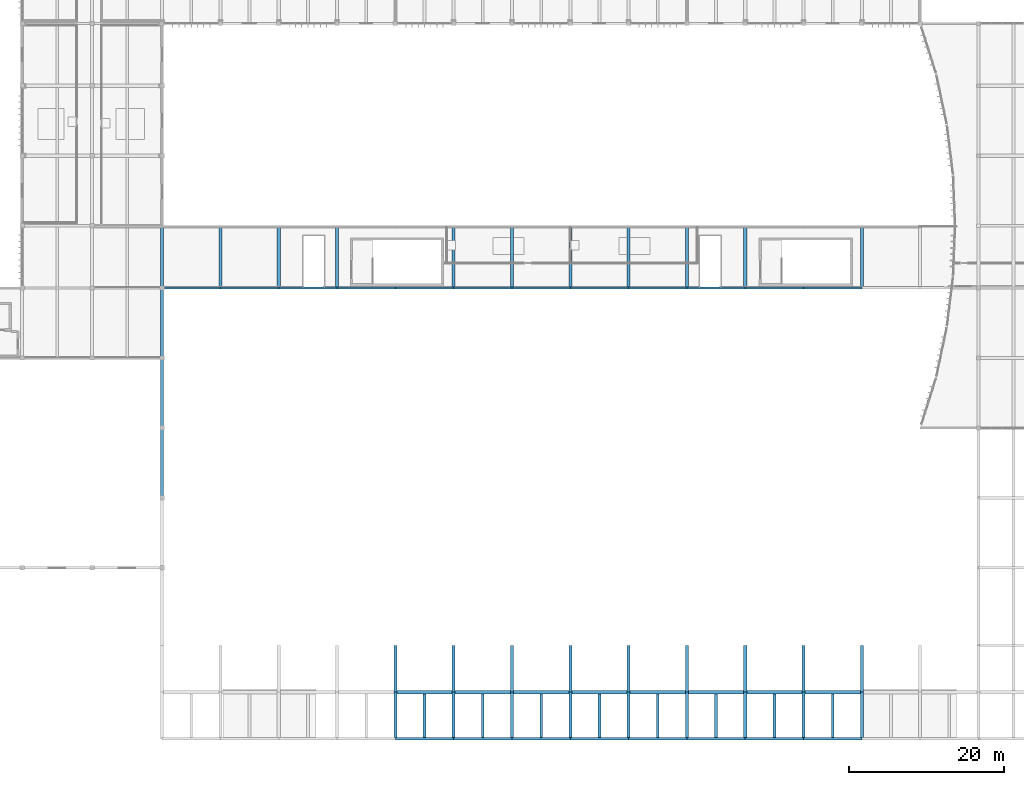
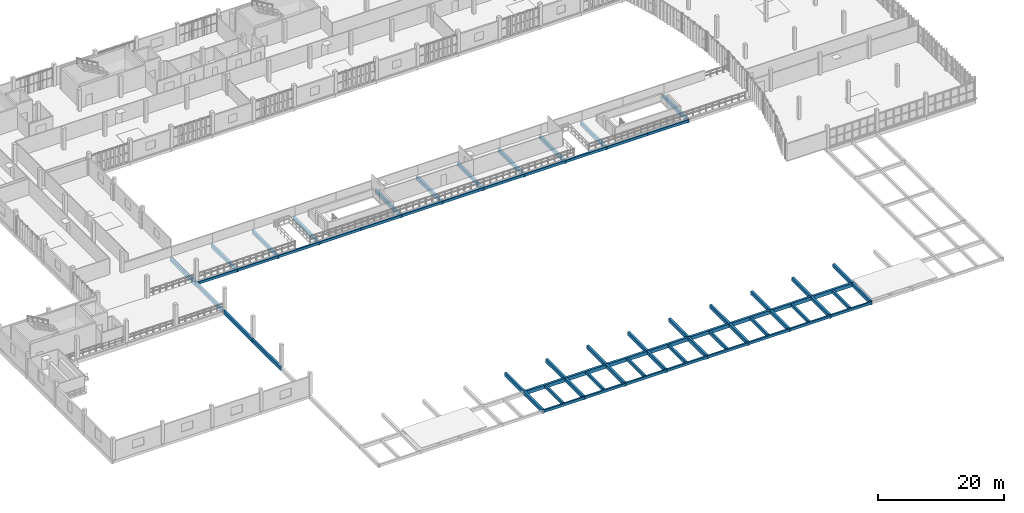
# One storey, part 7 of 61: 68 beams.
"""IFC4 building model written with IfcOpenShell, lengths in metres."""

import ifcopenshell
import ifcopenshell.guid

model = None  # the IFC model being written
_history = None  # IfcOwnerHistory: only IFC2X3 demands one
_inside = {}  # id of a spatial element -> (the spatial element, [elements in it])
_under = {}  # id of a project, library or spatial element -> (it, [spatial elements below it])
_declared = {}  # id of a project -> (the project, [libraries it declares])
_typed = {}  # id of a type object -> (the type object, [elements of that type])
_made_of = {}  # id of a material, layer set ... -> (it, [elements and type objects made of it])


def new_model(schema):
    """Start an empty IFC model of exactly this schema.

    Asked for "IFC4X3", IfcOpenShell would pick the latest addendum, in which some entities
    have other attributes; the version numbers below select the first issue.
    IFC2X3 requires an IfcOwnerHistory on every rooted entity: one is made here for all.
    """
    global model, _history
    if schema == "IFC4X3":
        model = ifcopenshell.file(schema_version=(4, 3, 0, 0))
    else:
        model = ifcopenshell.file(schema=schema)
    _inside.clear()
    _under.clear()
    _declared.clear()
    _typed.clear()
    _made_of.clear()
    _history = None
    if model.schema == "IFC2X3":
        org = make("IfcOrganization", Name="unknown")
        user = make(
            "IfcPersonAndOrganization",
            ThePerson=make("IfcPerson", FamilyName="unknown"),
            TheOrganization=org,
        )
        app = make(
            "IfcApplication",
            ApplicationDeveloper=org,
            Version="unknown",
            ApplicationFullName="unknown",
            ApplicationIdentifier="unknown",
        )
        _history = make(
            "IfcOwnerHistory",
            OwningUser=user,
            OwningApplication=app,
            ChangeAction="ADDED",
            CreationDate=0,
        )
    return model


def make(cls, **values):
    """One entity of the class cls with the attributes given. An attribute that is None is left unset."""
    return model.create_entity(
        cls, **{name: value for name, value in values.items() if value is not None}
    )


def rooted(cls, **values):
    """An entity with a GlobalId (a new one), such as an element, a storey or a relation."""
    return make(cls, GlobalId=ifcopenshell.guid.new(), OwnerHistory=_history, **values)


def si_unit(unit_type, name, prefix=None):
    """IfcSIUnit, for example si_unit("LENGTHUNIT", "METRE", prefix="MILLI")."""
    return make("IfcSIUnit", UnitType=unit_type, Prefix=prefix, Name=name)


def assignment(units):
    """IfcUnitAssignment: the units of a project."""
    return None if units is None else make("IfcUnitAssignment", Units=units)


def point(xyz):
    """IfcCartesianPoint."""
    return None if xyz is None else make("IfcCartesianPoint", Coordinates=xyz)


def direction(xyz):
    """IfcDirection."""
    return None if xyz is None else make("IfcDirection", DirectionRatios=xyz)


def frame(location, z_axis=None, x_axis=None):
    """IfcAxis2Placement3D, a coordinate frame: its origin and axes. An axis left out is left unset."""
    return make(
        "IfcAxis2Placement3D",
        Location=point(location),
        Axis=direction(z_axis),
        RefDirection=direction(x_axis),
    )


def frame_2d(location, x_axis=None):
    """IfcAxis2Placement2D, a coordinate frame in the plane: its origin and x axis."""
    return make(
        "IfcAxis2Placement2D", Location=point(location), RefDirection=direction(x_axis)
    )


def origin():
    """The frame at (0, 0, 0) with its axes left unset."""
    return frame((0.0, 0.0, 0.0))


def origin_2d():
    """The frame at (0, 0) in the plane with its x axis left unset."""
    return frame_2d((0.0, 0.0))


def place(relative_to, where):
    """IfcLocalPlacement: puts the frame where relative to a parent placement (None: the world)."""
    return make(
        "IfcLocalPlacement", PlacementRelTo=relative_to, RelativePlacement=where
    )


def context(
    kind, dimensions, precision=None, world=None, true_north=None, identifier=None
):
    """IfcGeometricRepresentationContext, for example the 3D "Model" context."""
    return make(
        "IfcGeometricRepresentationContext",
        ContextIdentifier=identifier,
        ContextType=kind,
        CoordinateSpaceDimension=dimensions,
        Precision=precision,
        WorldCoordinateSystem=world,
        TrueNorth=true_north,
    )


def subcontext(parent, identifier, kind, view, scale=None):
    """IfcGeometricRepresentationSubContext, for example "Body" below "Model"."""
    return make(
        "IfcGeometricRepresentationSubContext",
        ContextIdentifier=identifier,
        ContextType=kind,
        ParentContext=parent,
        TargetScale=scale,
        TargetView=view,
    )


def project(units=None, contexts=None):
    """IfcProject with its units and contexts."""
    return rooted(
        "IfcProject",
        Name="project",
        RepresentationContexts=contexts,
        UnitsInContext=assignment(units),
    )


def spatial(cls, under=None, at=None, **own):
    """A site, building, storey or space (cls), placed at a placement, below another one or the project."""
    s = rooted(cls, ObjectPlacement=at, **own)
    if under is not None:
        _under.setdefault(under.id(), (under, []))[1].append(s)
    return s


def profile(cls, at=None, kind="AREA", **sizes):
    """A parametric profile (cls). Its sizes go by their IFC names, for example OverallWidth=200.0."""
    return make(cls, ProfileType=kind, Position=at, **sizes)


def rectangle(**sizes):
    """IfcRectangleProfileDef."""
    return profile("IfcRectangleProfileDef", **sizes)


def extrude(swept, where, along, depth):
    """IfcExtrudedAreaSolid: the profile swept, set in the frame where, extruded along a direction by depth."""
    return make(
        "IfcExtrudedAreaSolid",
        SweptArea=swept,
        Position=where,
        ExtrudedDirection=direction(along),
        Depth=depth,
    )


def shape(context_of_items, identifier, shape_type, items):
    """IfcShapeRepresentation: the items that make up one representation, for example the "Body"."""
    return make(
        "IfcShapeRepresentation",
        ContextOfItems=context_of_items,
        RepresentationIdentifier=identifier,
        RepresentationType=shape_type,
        Items=items,
    )


def material(Name=None, Category=None):
    """IfcMaterial."""
    return make("IfcMaterial", Name=Name, Category=Category)


def material_profile(
    of_material, cross_section, Name=None, Category=None, Priority=None
):
    """IfcMaterialProfile: a cross section and its material."""
    return make(
        "IfcMaterialProfile",
        Name=Name,
        Material=of_material,
        Profile=cross_section,
        Priority=Priority,
        Category=Category,
    )


def profile_set(profiles, Name=None, composite=None):
    """IfcMaterialProfileSet."""
    return make(
        "IfcMaterialProfileSet",
        Name=Name,
        MaterialProfiles=profiles,
        CompositeProfile=composite,
    )


def made_of(thing, what):
    """Note that an element or type object is made of a material, layer set ...; save() writes the relation."""
    if what is not None:
        _made_of.setdefault(what.id(), (what, []))[1].append(thing)
    return thing


def type_object(cls, material=None, **own):
    """A type object (cls), such as IfcWallType, which elements share."""
    return made_of(rooted(cls, **own), material)


def element(
    cls,
    number,
    at=None,
    inside=None,
    cuts=None,
    type_object=None,
    material=None,
    context=None,
    identifier="Body",
    shape_type=None,
    held_by="IfcProductDefinitionShape",
    body=None,
    shapes=None,
    **own,
):
    """One element of the class cls, such as IfcWall. Its Tag is "e" and its number.

    at: its placement. inside: the storey or other place that contains it. cuts: it is an
    opening in that element (IfcRelVoidsElement). A single representation is given by context,
    identifier, shape_type and body (its items); several are given by shapes. held_by: the class
    of the entity that holds the representations. save() writes the other relations.
    """
    e = rooted(cls, Tag="e%d" % number, ObjectPlacement=at, **own)
    if body is not None:
        shapes = [shape(context, identifier, shape_type, body)]
    if shapes is not None:
        e.Representation = make(held_by, Representations=shapes)
    if inside is not None:
        _inside.setdefault(inside.id(), (inside, []))[1].append(e)
    if cuts is not None:
        rooted(
            "IfcRelVoidsElement", RelatingBuildingElement=cuts, RelatedOpeningElement=e
        )
    if type_object is not None:
        _typed.setdefault(type_object.id(), (type_object, []))[1].append(e)
    return made_of(e, material)


def aggregate(whole, parts):
    """IfcRelAggregates: a whole, such as a stair, and the parts it consists of."""
    return rooted("IfcRelAggregates", RelatingObject=whole, RelatedObjects=parts)


def save(model, path):
    """Write the relations noted so far, then the file.

    IfcRelAggregates (storeys below a building ...), IfcRelContainedInSpatialStructure (elements
    in a storey), IfcRelDefinesByType, IfcRelAssociatesMaterial and IfcRelDeclares: one each for
    every whole, place, type object, material and project.
    """
    for whole, parts in _under.values():
        aggregate(whole, parts)
    for where, things in _inside.values():
        rooted(
            "IfcRelContainedInSpatialStructure",
            RelatedElements=things,
            RelatingStructure=where,
        )
    for kind, things in _typed.values():
        rooted("IfcRelDefinesByType", RelatedObjects=things, RelatingType=kind)
    for what, things in _made_of.values():
        rooted("IfcRelAssociatesMaterial", RelatedObjects=things, RelatingMaterial=what)
    for by, libraries in _declared.values():
        rooted("IfcRelDeclares", RelatingContext=by, RelatedDefinitions=libraries)
    model.write(path)


model = new_model("IFC4")

# Units and contexts
model_context = context("Model", 3, precision=1e-05, world=origin(), true_north=direction((0.0, 1.0)))
body_context = subcontext(model_context, "Body", "Model", "MODEL_VIEW")
ifc_project = project(units=[si_unit("LENGTHUNIT", "METRE"), si_unit("AREAUNIT", "SQUARE_METRE"), si_unit("VOLUMEUNIT", "CUBIC_METRE"), si_unit("PLANEANGLEUNIT", "RADIAN"), si_unit("MASSUNIT", "GRAM", prefix="KILO")], contexts=[model_context])

# Site, building, storey
site_placement = place(None, origin())
site = spatial("IfcSite", under=ifc_project, at=site_placement, CompositionType="ELEMENT")
building_placement = place(site_placement, origin())
building = spatial("IfcBuilding", under=site, at=building_placement, Name="Vourika Railside Aquatics Centre", CompositionType="ELEMENT")
storey_placement = place(building_placement, frame((0.0, 0.0, 9.300048828125)))
storey = spatial("IfcBuildingStorey", under=building, at=storey_placement, Name="L02", CompositionType="ELEMENT", Elevation=9.300048828125)

# Beams
ifc_material = material(Name="Concrete C35/45", Category="concrete")
ifc_material_profile_1 = material_profile(ifc_material, rectangle(XDim=0.39990234375, YDim=0.699951171875, at=origin_2d()), Name="RC 400x700")
ifc_profile_set_1 = profile_set([ifc_material_profile_1], Name="Concrete C35/45")
beam_type_1 = type_object("IfcBeamType", Name="BM-GIRD-400x700", PredefinedType="BEAM", material=ifc_profile_set_1)
for number, where, z_axis, x_axis, name in (
    (1, (66.0, 6.0, -0.630126953125), (1.0, 0.0, 0.0), (0.0, 1.0, 0.0), "Floor Beam GX-L02-020"),
    (2, (73.5, 6.0, -0.630126953125), (1.0, 0.0, 0.0), (0.0, 1.0, 0.0), "Floor Beam GX-L02-021"),
    (3, (81.0, 6.0, -0.630126953125), (1.0, 0.0, 0.0), (0.0, 1.0, 0.0), "Floor Beam GX-L02-022"),
    (4, (88.5, 6.0, -0.630126953125), (1.0, 0.0, 0.0), (0.0, 1.0, 0.0), "Floor Beam GX-L02-023"),
    (5, (96.0, 6.0, -0.630126953125), (1.0, 0.0, 0.0), (0.0, 1.0, 0.0), "Floor Beam GX-L02-024"),
    (6, (103.5, 6.0, -0.630126953125), (1.0, 0.0, 0.0), (0.0, 1.0, 0.0), "Floor Beam GX-L02-025"),
    (7, (111.0, 6.0, -0.630126953125), (1.0, 0.0, 0.0), (0.0, 1.0, 0.0), "Floor Beam GX-L02-026"),
    (8, (118.5, 6.0, -0.630126953125), (1.0, 0.0, 0.0), (0.0, 1.0, 0.0), "Floor Beam GX-L02-027"),
):
    element("IfcBeam", number, at=place(storey_placement, frame(where, z_axis=z_axis, x_axis=x_axis)), inside=storey, type_object=beam_type_1, Name=name, PredefinedType="BEAM", context=body_context, shape_type="SweptSolid", body=[
        extrude(rectangle(XDim=0.39990234375, YDim=0.699951171875, at=origin_2d()), origin(), (0.0, 0.0, 1.0), 7.5),
    ])
for number, where, z_axis, x_axis, name in (
    (9, (36.0, 31.0, -0.630126953125), (0.0, 1.0, 0.0), (-1.0, 0.0, 0.0), "Floor Girder GY-L02-171"),
    (10, (36.0, 40.0, -0.630126953125), (0.0, 1.0, 0.0), (-1.0, 0.0, 0.0), "Floor Girder GY-L02-172"),
    (11, (36.0, 49.0, -0.630126953125), (0.0, 1.0, 0.0), (-1.0, 0.0, 0.0), "Floor Girder GY-L02-173"),
):
    element("IfcBeam", number, at=place(storey_placement, frame(where, z_axis=z_axis, x_axis=x_axis)), inside=storey, type_object=beam_type_1, Name=name, PredefinedType="BEAM", context=body_context, shape_type="SweptSolid", body=[
        extrude(rectangle(XDim=0.39990234375, YDim=0.699951171875, at=origin_2d()), origin(), (0.0, 0.0, 1.0), 9.0),
    ])
for number, where, z_axis, x_axis, name in (
    (12, (36.0, 58.0, -0.630126953125), (0.0, 1.0, 0.0), (-1.0, 0.0, 0.0), "Floor Girder GY-L02-174"),
    (13, (43.5, 58.0, -0.630126953125), (0.0, 1.0, 0.0), (-1.0, 0.0, 0.0), "Floor Girder GY-L02-183"),
    (14, (51.0, 58.0, -0.630126953125), (0.0, 1.0, 0.0), (-1.0, 0.0, 0.0), "Floor Girder GY-L02-189"),
    (15, (58.5, 58.0, -0.630126953125), (0.0, 1.0, 0.0), (-1.0, 0.0, 0.0), "Floor Girder GY-L02-194"),
):
    element("IfcBeam", number, at=place(storey_placement, frame(where, z_axis=z_axis, x_axis=x_axis)), inside=storey, type_object=beam_type_1, Name=name, PredefinedType="BEAM", context=body_context, shape_type="SweptSolid", body=[
        extrude(rectangle(XDim=0.39990234375, YDim=0.699951171875, at=origin_2d()), origin(), (0.0, 0.0, 1.0), 8.0),
    ])
for number, where, z_axis, x_axis, name in (
    (16, (66.0, 0.0, -0.630126953125), (0.0, 1.0, 0.0), (-1.0, 0.0, 0.0), "Floor Girder GY-L02-197"),
    (17, (66.0, 6.0, -0.630126953125), (0.0, 1.0, 0.0), (-1.0, 0.0, 0.0), "Floor Girder GY-L02-198"),
    (18, (73.5, 0.0, -0.630126953125), (0.0, 1.0, 0.0), (-1.0, 0.0, 0.0), "Floor Girder GY-L02-202"),
    (19, (73.5, 6.0, -0.630126953125), (0.0, 1.0, 0.0), (-1.0, 0.0, 0.0), "Floor Girder GY-L02-203"),
):
    element("IfcBeam", number, at=place(storey_placement, frame(where, z_axis=z_axis, x_axis=x_axis)), inside=storey, type_object=beam_type_1, Name=name, PredefinedType="BEAM", context=body_context, shape_type="SweptSolid", body=[
        extrude(rectangle(XDim=0.39990234375, YDim=0.699951171875, at=origin_2d()), origin(), (0.0, 0.0, 1.0), 6.0),
    ])
beam_1_placement = place(storey_placement, frame((73.5, 58.0, -0.630126953125), z_axis=(0.0, 1.0, 0.0), x_axis=(-1.0, 0.0, 0.0)))
element("IfcBeam", 20, at=beam_1_placement, inside=storey, type_object=beam_type_1, Name="Floor Girder GY-L02-204", PredefinedType="BEAM", context=body_context, shape_type="SweptSolid", body=[
    extrude(rectangle(XDim=0.39990234375, YDim=0.699951171875, at=origin_2d()), origin(), (0.0, 0.0, 1.0), 8.0),
])
for number, where, z_axis, x_axis, name in (
    (21, (81.0, 0.0, -0.630126953125), (0.0, 1.0, 0.0), (-1.0, 0.0, 0.0), "Floor Girder GY-L02-208"),
    (22, (81.0, 6.0, -0.630126953125), (0.0, 1.0, 0.0), (-1.0, 0.0, 0.0), "Floor Girder GY-L02-209"),
):
    element("IfcBeam", number, at=place(storey_placement, frame(where, z_axis=z_axis, x_axis=x_axis)), inside=storey, type_object=beam_type_1, Name=name, PredefinedType="BEAM", context=body_context, shape_type="SweptSolid", body=[
        extrude(rectangle(XDim=0.39990234375, YDim=0.699951171875, at=origin_2d()), origin(), (0.0, 0.0, 1.0), 6.0),
    ])
beam_2_placement = place(storey_placement, frame((81.0, 58.0, -0.630126953125), z_axis=(0.0, 1.0, 0.0), x_axis=(-1.0, 0.0, 0.0)))
element("IfcBeam", 23, at=beam_2_placement, inside=storey, type_object=beam_type_1, Name="Floor Girder GY-L02-210", PredefinedType="BEAM", context=body_context, shape_type="SweptSolid", body=[
    extrude(rectangle(XDim=0.39990234375, YDim=0.699951171875, at=origin_2d()), origin(), (0.0, 0.0, 1.0), 8.0),
])
for number, where, z_axis, x_axis, name in (
    (24, (88.5, 0.0, -0.630126953125), (0.0, 1.0, 0.0), (-1.0, 0.0, 0.0), "Floor Girder GY-L02-213"),
    (25, (88.5, 6.0, -0.630126953125), (0.0, 1.0, 0.0), (-1.0, 0.0, 0.0), "Floor Girder GY-L02-214"),
):
    element("IfcBeam", number, at=place(storey_placement, frame(where, z_axis=z_axis, x_axis=x_axis)), inside=storey, type_object=beam_type_1, Name=name, PredefinedType="BEAM", context=body_context, shape_type="SweptSolid", body=[
        extrude(rectangle(XDim=0.39990234375, YDim=0.699951171875, at=origin_2d()), origin(), (0.0, 0.0, 1.0), 6.0),
    ])
beam_3_placement = place(storey_placement, frame((88.5, 58.0, -0.630126953125), z_axis=(0.0, 1.0, 0.0), x_axis=(-1.0, 0.0, 0.0)))
element("IfcBeam", 26, at=beam_3_placement, inside=storey, type_object=beam_type_1, Name="Floor Girder GY-L02-215", PredefinedType="BEAM", context=body_context, shape_type="SweptSolid", body=[
    extrude(rectangle(XDim=0.39990234375, YDim=0.699951171875, at=origin_2d()), origin(), (0.0, 0.0, 1.0), 8.0),
])
for number, where, z_axis, x_axis, name in (
    (27, (96.0, 0.0, -0.630126953125), (0.0, 1.0, 0.0), (-1.0, 0.0, 0.0), "Floor Girder GY-L02-219"),
    (28, (96.0, 6.0, -0.630126953125), (0.0, 1.0, 0.0), (-1.0, 0.0, 0.0), "Floor Girder GY-L02-220"),
):
    element("IfcBeam", number, at=place(storey_placement, frame(where, z_axis=z_axis, x_axis=x_axis)), inside=storey, type_object=beam_type_1, Name=name, PredefinedType="BEAM", context=body_context, shape_type="SweptSolid", body=[
        extrude(rectangle(XDim=0.39990234375, YDim=0.699951171875, at=origin_2d()), origin(), (0.0, 0.0, 1.0), 6.0),
    ])
beam_4_placement = place(storey_placement, frame((96.0, 58.0, -0.630126953125), z_axis=(0.0, 1.0, 0.0), x_axis=(-1.0, 0.0, 0.0)))
element("IfcBeam", 29, at=beam_4_placement, inside=storey, type_object=beam_type_1, Name="Floor Girder GY-L02-221", PredefinedType="BEAM", context=body_context, shape_type="SweptSolid", body=[
    extrude(rectangle(XDim=0.39990234375, YDim=0.699951171875, at=origin_2d()), origin(), (0.0, 0.0, 1.0), 8.0),
])
for number, where, z_axis, x_axis, name in (
    (30, (103.5, 0.0, -0.630126953125), (0.0, 1.0, 0.0), (-1.0, 0.0, 0.0), "Floor Girder GY-L02-225"),
    (31, (103.5, 6.0, -0.630126953125), (0.0, 1.0, 0.0), (-1.0, 0.0, 0.0), "Floor Girder GY-L02-226"),
):
    element("IfcBeam", number, at=place(storey_placement, frame(where, z_axis=z_axis, x_axis=x_axis)), inside=storey, type_object=beam_type_1, Name=name, PredefinedType="BEAM", context=body_context, shape_type="SweptSolid", body=[
        extrude(rectangle(XDim=0.39990234375, YDim=0.699951171875, at=origin_2d()), origin(), (0.0, 0.0, 1.0), 6.0),
    ])
beam_5_placement = place(storey_placement, frame((103.5, 58.0, -0.630126953125), z_axis=(0.0, 1.0, 0.0), x_axis=(-1.0, 0.0, 0.0)))
element("IfcBeam", 32, at=beam_5_placement, inside=storey, type_object=beam_type_1, Name="Floor Girder GY-L02-227", PredefinedType="BEAM", context=body_context, shape_type="SweptSolid", body=[
    extrude(rectangle(XDim=0.39990234375, YDim=0.699951171875, at=origin_2d()), origin(), (0.0, 0.0, 1.0), 8.0),
])
for number, where, z_axis, x_axis, name in (
    (33, (111.0, 0.0, -0.630126953125), (0.0, 1.0, 0.0), (-1.0, 0.0, 0.0), "Floor Girder GY-L02-231"),
    (34, (111.0, 6.0, -0.630126953125), (0.0, 1.0, 0.0), (-1.0, 0.0, 0.0), "Floor Girder GY-L02-232"),
):
    element("IfcBeam", number, at=place(storey_placement, frame(where, z_axis=z_axis, x_axis=x_axis)), inside=storey, type_object=beam_type_1, Name=name, PredefinedType="BEAM", context=body_context, shape_type="SweptSolid", body=[
        extrude(rectangle(XDim=0.39990234375, YDim=0.699951171875, at=origin_2d()), origin(), (0.0, 0.0, 1.0), 6.0),
    ])
beam_6_placement = place(storey_placement, frame((111.0, 58.0, -0.630126953125), z_axis=(0.0, 1.0, 0.0), x_axis=(-1.0, 0.0, 0.0)))
element("IfcBeam", 35, at=beam_6_placement, inside=storey, type_object=beam_type_1, Name="Floor Girder GY-L02-233", PredefinedType="BEAM", context=body_context, shape_type="SweptSolid", body=[
    extrude(rectangle(XDim=0.39990234375, YDim=0.699951171875, at=origin_2d()), origin(), (0.0, 0.0, 1.0), 8.0),
])
for number, where, z_axis, x_axis, name in (
    (36, (118.5, 0.0, -0.630126953125), (0.0, 1.0, 0.0), (-1.0, 0.0, 0.0), "Floor Girder GY-L02-237"),
    (37, (118.5, 6.0, -0.630126953125), (0.0, 1.0, 0.0), (-1.0, 0.0, 0.0), "Floor Girder GY-L02-238"),
    (38, (126.0, 0.0, -0.630126953125), (0.0, 1.0, 0.0), (-1.0, 0.0, 0.0), "Floor Girder GY-L02-242"),
    (39, (126.0, 6.0, -0.630126953125), (0.0, 1.0, 0.0), (-1.0, 0.0, 0.0), "Floor Girder GY-L02-243"),
):
    element("IfcBeam", number, at=place(storey_placement, frame(where, z_axis=z_axis, x_axis=x_axis)), inside=storey, type_object=beam_type_1, Name=name, PredefinedType="BEAM", context=body_context, shape_type="SweptSolid", body=[
        extrude(rectangle(XDim=0.39990234375, YDim=0.699951171875, at=origin_2d()), origin(), (0.0, 0.0, 1.0), 6.0),
    ])
beam_7_placement = place(storey_placement, frame((126.0, 58.0, -0.630126953125), z_axis=(0.0, 1.0, 0.0), x_axis=(-1.0, 0.0, 0.0)))
element("IfcBeam", 40, at=beam_7_placement, inside=storey, type_object=beam_type_1, Name="Floor Girder GY-L02-244", PredefinedType="BEAM", context=body_context, shape_type="SweptSolid", body=[
    extrude(rectangle(XDim=0.39990234375, YDim=0.699951171875, at=origin_2d()), origin(), (0.0, 0.0, 1.0), 8.0),
])
ifc_material_profile_2 = material_profile(ifc_material, rectangle(XDim=0.35009765625, YDim=0.60009765625, at=origin_2d()), Name="RC 350x600")
ifc_profile_set_2 = profile_set([ifc_material_profile_2], Name="Concrete C35/45")
beam_type_2 = type_object("IfcBeamType", Name="BM-SEC-350x600", PredefinedType="JOIST", material=ifc_profile_set_2)
for number, where, z_axis, x_axis, name in (
    (41, (69.75, 0.14990234375, -0.580078125), (0.0, 1.0, 0.0), (-1.0, 0.0, 0.0), "Secondary Joist JY-L02-291"),
    (42, (77.25, 0.14990234375, -0.580078125), (0.0, 1.0, 0.0), (-1.0, 0.0, 0.0), "Secondary Joist JY-L02-292"),
    (43, (84.75, 0.14990234375, -0.580078125), (0.0, 1.0, 0.0), (-1.0, 0.0, 0.0), "Secondary Joist JY-L02-293"),
    (44, (92.25, 0.14990234375, -0.580078125), (0.0, 1.0, 0.0), (-1.0, 0.0, 0.0), "Secondary Joist JY-L02-294"),
    (45, (99.75, 0.14990234375, -0.580078125), (0.0, 1.0, 0.0), (-1.0, 0.0, 0.0), "Secondary Joist JY-L02-295"),
    (46, (107.25, 0.14990234375, -0.580078125), (0.0, 1.0, 0.0), (-1.0, 0.0, 0.0), "Secondary Joist JY-L02-296"),
    (47, (114.75, 0.14990234375, -0.580078125), (0.0, 1.0, 0.0), (-1.0, 0.0, 0.0), "Secondary Joist JY-L02-297"),
    (48, (122.25, 0.14990234375, -0.580078125), (0.0, 1.0, 0.0), (-1.0, 0.0, 0.0), "Secondary Joist JY-L02-298"),
):
    element("IfcBeam", number, at=place(storey_placement, frame(where, z_axis=z_axis, x_axis=x_axis)), inside=storey, type_object=beam_type_2, Name=name, PredefinedType="JOIST", context=body_context, shape_type="SweptSolid", body=[
        extrude(rectangle(XDim=0.35009765625, YDim=0.60009765625, at=origin_2d()), origin(), (0.0, 0.0, 1.0), 5.650146484375),
    ])
ifc_material_profile_3 = material_profile(ifc_material, rectangle(XDim=0.300048828125, YDim=0.5, at=origin_2d()), Name="RC 300x500")
ifc_profile_set_3 = profile_set([ifc_material_profile_3], Name="Concrete C35/45")
beam_type_3 = type_object("IfcBeamType", Name="BM-SPAN-300x500", PredefinedType="SPANDREL", material=ifc_profile_set_3)
for number, where, z_axis, x_axis, name in (
    (49, (66.0, 0.0, -0.530029296875), (1.0, 0.0, 0.0), (0.0, 1.0, 0.0), "Floor Beam GX-L02-005"),
    (50, (73.5, 0.0, -0.530029296875), (1.0, 0.0, 0.0), (0.0, 1.0, 0.0), "Floor Beam GX-L02-006"),
    (51, (81.0, 0.0, -0.530029296875), (1.0, 0.0, 0.0), (0.0, 1.0, 0.0), "Floor Beam GX-L02-007"),
    (52, (88.5, 0.0, -0.530029296875), (1.0, 0.0, 0.0), (0.0, 1.0, 0.0), "Floor Beam GX-L02-008"),
    (53, (96.0, 0.0, -0.530029296875), (1.0, 0.0, 0.0), (0.0, 1.0, 0.0), "Floor Beam GX-L02-009"),
    (54, (103.5, 0.0, -0.530029296875), (1.0, 0.0, 0.0), (0.0, 1.0, 0.0), "Floor Beam GX-L02-010"),
    (55, (111.0, 0.0, -0.530029296875), (1.0, 0.0, 0.0), (0.0, 1.0, 0.0), "Floor Beam GX-L02-011"),
    (56, (118.5, 0.0, -0.530029296875), (1.0, 0.0, 0.0), (0.0, 1.0, 0.0), "Floor Beam GX-L02-012"),
    (57, (36.0, 58.0, -0.530029296875), (1.0, 0.0, 0.0), (0.0, 1.0, 0.0), "Floor Beam GX-L02-052"),
    (58, (43.5, 58.0, -0.530029296875), (1.0, 0.0, 0.0), (0.0, 1.0, 0.0), "Floor Beam GX-L02-053"),
    (59, (51.0, 58.0, -0.530029296875), (1.0, 0.0, 0.0), (0.0, 1.0, 0.0), "Floor Beam GX-L02-054"),
    (60, (58.5, 58.0, -0.530029296875), (1.0, 0.0, 0.0), (0.0, 1.0, 0.0), "Floor Beam GX-L02-055"),
    (61, (66.0, 58.0, -0.530029296875), (1.0, 0.0, 0.0), (0.0, 1.0, 0.0), "Floor Beam GX-L02-056"),
    (62, (73.5, 58.0, -0.530029296875), (1.0, 0.0, 0.0), (0.0, 1.0, 0.0), "Floor Beam GX-L02-057"),
    (63, (81.0, 58.0, -0.530029296875), (1.0, 0.0, 0.0), (0.0, 1.0, 0.0), "Floor Beam GX-L02-058"),
    (64, (88.5, 58.0, -0.530029296875), (1.0, 0.0, 0.0), (0.0, 1.0, 0.0), "Floor Beam GX-L02-059"),
    (65, (96.0, 58.0, -0.530029296875), (1.0, 0.0, 0.0), (0.0, 1.0, 0.0), "Floor Beam GX-L02-060"),
    (66, (103.5, 58.0, -0.530029296875), (1.0, 0.0, 0.0), (0.0, 1.0, 0.0), "Floor Beam GX-L02-061"),
    (67, (111.0, 58.0, -0.530029296875), (1.0, 0.0, 0.0), (0.0, 1.0, 0.0), "Floor Beam GX-L02-062"),
    (68, (118.5, 58.0, -0.530029296875), (1.0, 0.0, 0.0), (0.0, 1.0, 0.0), "Floor Beam GX-L02-063"),
):
    element("IfcBeam", number, at=place(storey_placement, frame(where, z_axis=z_axis, x_axis=x_axis)), inside=storey, type_object=beam_type_3, Name=name, PredefinedType="SPANDREL", context=body_context, shape_type="SweptSolid", body=[
        extrude(rectangle(XDim=0.300048828125, YDim=0.5, at=origin_2d()), origin(), (0.0, 0.0, 1.0), 7.5),
    ])

save(model, "model.ifc")
